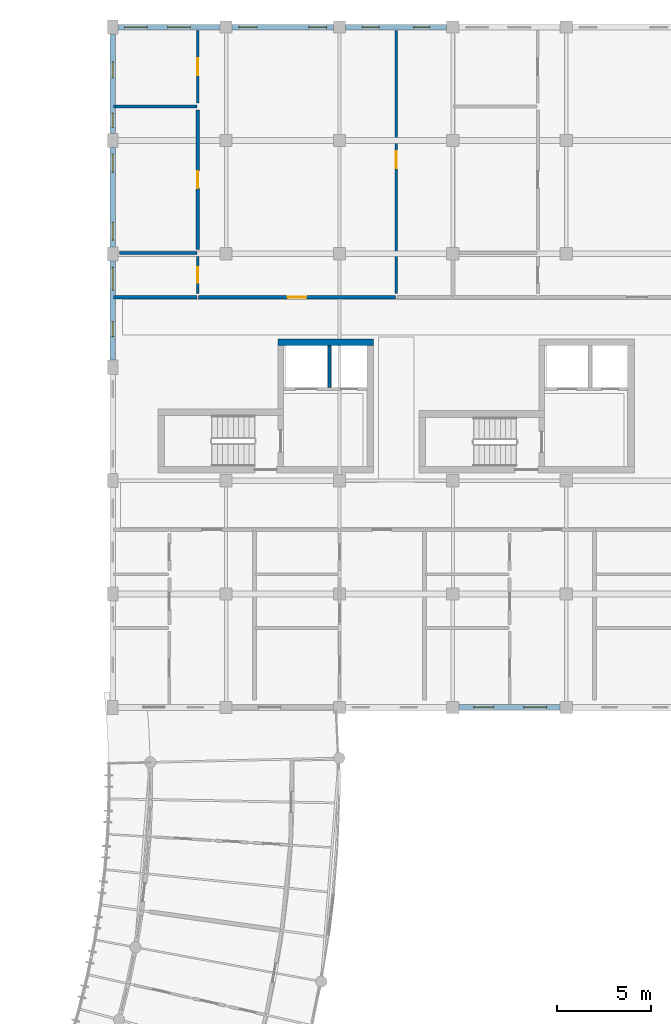
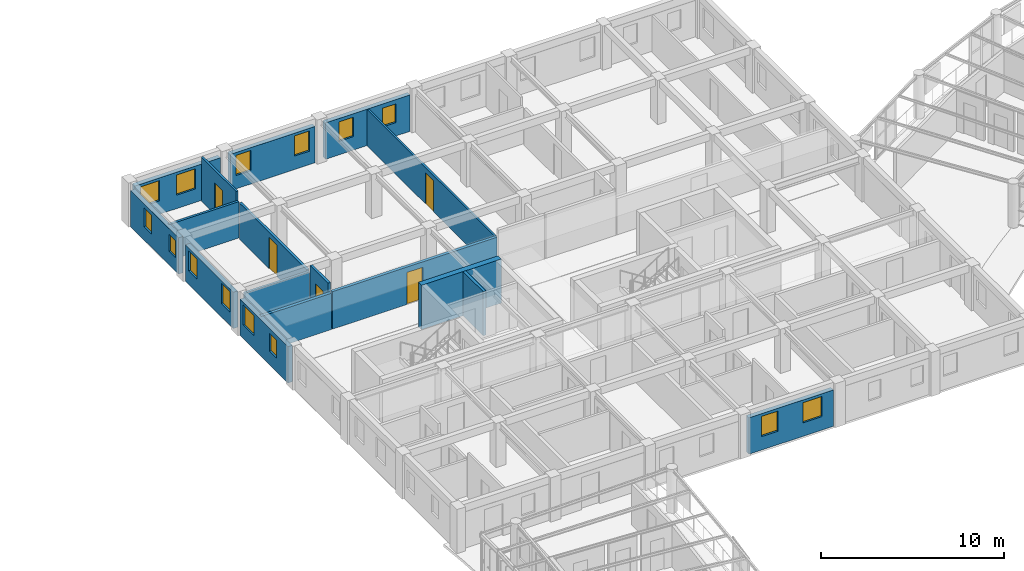
# One storey, part 69 of 100: 17 walls, 14 windows, 5 doors, 19 openings.
"""IFC4 building model written with IfcOpenShell, lengths in metres."""

from ifc_helpers import new_model, si_unit, direction, frame, frame_2d, origin, place, context, subcontext, project, spatial, rectangle, extrude, material, layer, layer_set, type_object, element, fill, save


model = new_model("IFC4")

# Units and contexts
model_context = context("Model", 3, precision=1e-05, world=origin(), true_north=direction((0.0, 1.0)))
body_context = subcontext(model_context, "Body", "Model", "MODEL_VIEW")
ifc_project = project(units=[si_unit("LENGTHUNIT", "METRE"), si_unit("AREAUNIT", "SQUARE_METRE"), si_unit("VOLUMEUNIT", "CUBIC_METRE"), si_unit("PLANEANGLEUNIT", "RADIAN"), si_unit("MASSUNIT", "GRAM", prefix="KILO"), si_unit("POWERUNIT", "WATT"), si_unit("THERMODYNAMICTEMPERATUREUNIT", "KELVIN")], contexts=[model_context])

# Site, building, storey
site_placement = place(None, origin())
site = spatial("IfcSite", under=ifc_project, at=site_placement, CompositionType="ELEMENT")
building_placement = place(site_placement, origin())
building = spatial("IfcBuilding", under=site, at=building_placement, Name="Ruvembo Vaulted Housing Court", CompositionType="ELEMENT")
storey_placement = place(building_placement, frame((0.0, 0.0, 14.10009765625)))
storey = spatial("IfcBuildingStorey", under=building, at=storey_placement, Name="L04", CompositionType="ELEMENT", Elevation=14.10009765625)

# Walls
ifc_material_1 = material(Name="Concrete C35/45", Category="concrete")
ifc_layer_1 = layer(ifc_material_1, 0.35009765625, Name="Concrete C35/45")
ifc_layer_set_1 = layer_set([ifc_layer_1], Name="Concrete C35/45")
wall_type_1 = type_object("IfcWallType", Name="WL-CORE-350", PredefinedType="SHEAR", material=ifc_layer_set_1)
wall_1_placement = place(storey_placement, frame((61.800048828125, 97.324951171875, 0.0), z_axis=(0.0, 0.0, 1.0), x_axis=(-1.0, 0.0, 0.0)))
element("IfcWall", 1, at=wall_1_placement, inside=storey, type_object=wall_type_1, Name="Core B1 L04 North Shear Wall", PredefinedType="SHEAR", context=body_context, shape_type="SweptSolid", body=[
    extrude(rectangle(XDim=5.050048828125, YDim=0.35009765625, at=frame_2d((2.52490234375, 0.0))), origin(), (0.0, 0.0, 1.0), 2.949951171875),
])
ifc_material_2 = material(Name="Concrete Blockwork 190", Category="masonry")
ifc_layer_2 = layer(ifc_material_2, 0.18994140625, Name="Concrete Blockwork 190")
ifc_layer_set_2 = layer_set([ifc_layer_2], Name="Concrete Blockwork 190")
wall_type_2 = type_object("IfcWallType", Name="WL-CORR-190", PredefinedType="SOLIDWALL", material=ifc_layer_set_2)
wall_2_placement = place(storey_placement, frame((48.0400390625, 99.699951171875, 0.0), z_axis=(0.0, 0.0, 1.0), x_axis=(1.0, 0.0, 0.0)))
element("IfcWall", 2, at=wall_2_placement, inside=storey, type_object=wall_type_2, Name="L04 Flat B-L04-N1 Corridor Wall WL-INT-L04-01169", PredefinedType="SOLIDWALL", context=body_context, shape_type="SweptSolid", body=[
    extrude(rectangle(XDim=4.419921875, YDim=0.18994140625, at=frame_2d((2.2099609375, 0.0))), origin(), (0.0, 0.0, 1.0), 2.431884765625),
])

# Wall, opening, door
wall_3_placement = place(storey_placement, frame((52.5400390625, 99.699951171875, 0.0), z_axis=(0.0, 0.0, 1.0), x_axis=(1.0, 0.0, 0.0)))
wall_3 = element("IfcWall", 3, at=wall_3_placement, inside=storey, type_object=wall_type_2, Name="L04 Flat B-L04-N1 Entrance WL-INT-L04-01170", PredefinedType="SOLIDWALL", context=body_context, shape_type="SweptSolid", body=[
    extrude(rectangle(XDim=10.419921875, YDim=0.18994140625, at=frame_2d((5.2099609375, 0.0))), origin(), (0.0, 0.0, 1.0), 2.5078125),
])
opening_1_placement = place(wall_3_placement, frame((4.7099609375, 0.0, 0.0)))
opening_1 = element("IfcOpeningElement", 4, at=opening_1_placement, cuts=wall_3, Name="Opening FD1", PredefinedType="OPENING", context=body_context, shape_type="SweptSolid", body=[
    extrude(rectangle(XDim=1.0, YDim=2.14990234375, at=frame_2d((0.5, 1.074951171875))), frame((0.0, 0.10498046875, 0.0), z_axis=(0.0, -1.0, 0.0), x_axis=(1.0, 0.0, 0.0)), (0.0, 0.0, 1.0), 0.2099609375),
])
ifc_material_3 = material(Name="FSC Hardwood and Engineered Timber", Category="wood")
door_type_1 = type_object("IfcDoorType", Name="DR-FLAT-1000x2150", OperationType="NOTDEFINED", PredefinedType="DOOR", material=ifc_material_3)
door_1_placement = place(opening_1_placement, origin())
door_1 = element("IfcDoor", 5, at=door_1_placement, inside=storey, type_object=door_type_1, Name="L04 Flat B-L04-N1 Entrance Door DR-INT-L04-00654", OperationType="SINGLE_SWING_RIGHT", OverallHeight=2.14990234375, OverallWidth=1.0, PredefinedType="DOOR", context=body_context, shape_type="SweptSolid", body=[
    extrude(rectangle(XDim=1.0, YDim=2.14990234375, at=frame_2d((0.5, 1.074951171875))), frame((0.0, 0.02490234375, 0.0), z_axis=(0.0, -1.0, 0.0), x_axis=(1.0, 0.0, 0.0)), (0.0, 0.0, 1.0), 0.050048828125),
])
fill(opening_1, door_1)

# Wall, openings, windows
ifc_material_4 = material(Name="Rendered Masonry 285", Category="masonry")
ifc_layer_3 = layer(ifc_material_4, 0.284912109375, Name="Rendered Masonry 285")
ifc_layer_set_3 = layer_set([ifc_layer_3], Name="Rendered Masonry 285")
wall_type_3 = type_object("IfcWallType", Name="WL-EXT-285", PredefinedType="STANDARD", material=ifc_layer_set_3)
wall_4_placement = place(storey_placement, frame((66.324951171875, 78.0, 0.0), z_axis=(0.0, 0.0, 1.0), x_axis=(1.0, 0.0, 0.0)))
wall_4 = element("IfcWall", 6, at=wall_4_placement, inside=storey, type_object=wall_type_3, Name="Block B L04 Exterior Wall COURTYARD #4", PredefinedType="STANDARD", context=body_context, shape_type="SweptSolid", body=[
    extrude(rectangle(XDim=5.35009765625, YDim=0.284912109375, at=frame_2d((2.675048828125, 0.0))), origin(), (0.0, 0.0, 1.0), 2.431884765625),
])
opening_2_placement = place(wall_4_placement, frame((0.79248046875, 0.0, 0.89990234375)))
opening_2 = element("IfcOpeningElement", 7, at=opening_2_placement, cuts=wall_4, Name="Opening W09", PredefinedType="OPENING", context=body_context, shape_type="SweptSolid", body=[
    extrude(rectangle(XDim=1.050048828125, YDim=1.35009765625, at=frame_2d((0.52490234375, 0.675048828125))), frame((0.0, 0.15234375, 0.0), z_axis=(0.0, -1.0, 0.0), x_axis=(1.0, 0.0, 0.0)), (0.0, 0.0, 1.0), 0.304931640625),
])
opening_3_placement = place(wall_4_placement, frame((3.4326171875, 0.0, 0.89990234375)))
opening_3 = element("IfcOpeningElement", 8, at=opening_3_placement, cuts=wall_4, Name="Opening W12", PredefinedType="OPENING", context=body_context, shape_type="SweptSolid", body=[
    extrude(rectangle(XDim=1.199951171875, YDim=1.35009765625, at=frame_2d((0.60009765625, 0.675048828125))), frame((0.0, 0.15234375, 0.0), z_axis=(0.0, -1.0, 0.0), x_axis=(1.0, 0.0, 0.0)), (0.0, 0.0, 1.0), 0.304931640625),
])
ifc_material_5 = material(Name="Double Solar-Control Glazing in Aluminium Frame", Category="aluminium")
window_type_1 = type_object("IfcWindowType", Name="WIN-1050x1350", PartitioningType="SINGLE_PANEL", PredefinedType="WINDOW", material=ifc_material_5)
window_1_placement = place(opening_2_placement, origin())
window_1 = element("IfcWindow", 9, at=window_1_placement, inside=storey, type_object=window_type_1, Name="Block B L04 Window #772", OverallHeight=1.35009765625, OverallWidth=1.050048828125, PartitioningType="SINGLE_PANEL", PredefinedType="WINDOW", context=body_context, shape_type="SweptSolid", body=[
    extrude(rectangle(XDim=1.050048828125, YDim=1.35009765625, at=frame_2d((0.52490234375, 0.675048828125))), frame((0.0, 0.030029296875, 0.0), z_axis=(0.0, -1.0, 0.0), x_axis=(1.0, 0.0, 0.0)), (0.0, 0.0, 1.0), 0.06005859375),
])
fill(opening_2, window_1)
window_type_2 = type_object("IfcWindowType", Name="WIN-1200x1350", PartitioningType="SINGLE_PANEL", PredefinedType="WINDOW", material=ifc_material_5)
window_2_placement = place(opening_3_placement, origin())
window_2 = element("IfcWindow", 10, at=window_2_placement, inside=storey, type_object=window_type_2, Name="Block B L04 Window #773", OverallHeight=1.35009765625, OverallWidth=1.199951171875, PartitioningType="SINGLE_PANEL", PredefinedType="WINDOW", context=body_context, shape_type="SweptSolid", body=[
    extrude(rectangle(XDim=1.199951171875, YDim=1.35009765625, at=frame_2d((0.60009765625, 0.675048828125))), frame((0.0, 0.030029296875, 0.0), z_axis=(0.0, -1.0, 0.0), x_axis=(1.0, 0.0, 0.0)), (0.0, 0.0, 1.0), 0.06005859375),
])
fill(opening_3, window_2)

wall_5_placement = place(storey_placement, frame((65.675048828125, 114.0, 0.0), z_axis=(0.0, 0.0, 1.0), x_axis=(-1.0, 0.0, 0.0)))
wall_5 = element("IfcWall", 11, at=wall_5_placement, inside=storey, type_object=wall_type_3, Name="Block B L04 Exterior Wall STREET #4", PredefinedType="STANDARD", context=body_context, shape_type="SweptSolid", body=[
    extrude(rectangle(XDim=5.35009765625, YDim=0.284912109375, at=frame_2d((2.675048828125, 0.0))), origin(), (0.0, 0.0, 1.0), 2.431884765625),
])
opening_4_placement = place(wall_5_placement, frame((0.892578125, 0.0, 0.89990234375)))
opening_4 = element("IfcOpeningElement", 12, at=opening_4_placement, cuts=wall_5, Name="Opening W03", PredefinedType="OPENING", context=body_context, shape_type="SweptSolid", body=[
    extrude(rectangle(XDim=0.85009765625, YDim=1.25, at=frame_2d((0.425048828125, 0.625))), frame((0.0, 0.15234375, 0.0), z_axis=(0.0, -1.0, 0.0), x_axis=(1.0, 0.0, 0.0)), (0.0, 0.0, 1.0), 0.304931640625),
])
opening_5_placement = place(wall_5_placement, frame((3.58251953125, 0.0, 0.89990234375)))
opening_5 = element("IfcOpeningElement", 13, at=opening_5_placement, cuts=wall_5, Name="Opening W04", PredefinedType="OPENING", context=body_context, shape_type="SweptSolid", body=[
    extrude(rectangle(XDim=0.89990234375, YDim=1.300048828125, at=frame_2d((0.449951171875, 0.64990234375))), frame((0.0, 0.15234375, 0.0), z_axis=(0.0, -1.0, 0.0), x_axis=(1.0, 0.0, 0.0)), (0.0, 0.0, 1.0), 0.304931640625),
])
window_type_3 = type_object("IfcWindowType", Name="WIN-0850x1250", PartitioningType="SINGLE_PANEL", PredefinedType="WINDOW", material=ifc_material_5)
window_3_placement = place(opening_4_placement, origin())
window_3 = element("IfcWindow", 14, at=window_3_placement, inside=storey, type_object=window_type_3, Name="Block B L04 Window #793", OverallHeight=1.25, OverallWidth=0.85009765625, PartitioningType="SINGLE_PANEL", PredefinedType="WINDOW", context=body_context, shape_type="SweptSolid", body=[
    extrude(rectangle(XDim=0.85009765625, YDim=1.25, at=frame_2d((0.425048828125, 0.625))), frame((0.0, 0.030029296875, 0.0), z_axis=(0.0, -1.0, 0.0), x_axis=(1.0, 0.0, 0.0)), (0.0, 0.0, 1.0), 0.06005859375),
])
fill(opening_4, window_3)
window_type_4 = type_object("IfcWindowType", Name="WIN-0900x1300", PartitioningType="SINGLE_PANEL", PredefinedType="WINDOW", material=ifc_material_5)
window_4_placement = place(opening_5_placement, origin())
window_4 = element("IfcWindow", 15, at=window_4_placement, inside=storey, type_object=window_type_4, Name="Block B L04 Window #794", OverallHeight=1.300048828125, OverallWidth=0.89990234375, PartitioningType="SINGLE_PANEL", PredefinedType="WINDOW", context=body_context, shape_type="SweptSolid", body=[
    extrude(rectangle(XDim=0.89990234375, YDim=1.300048828125, at=frame_2d((0.449951171875, 0.64990234375))), frame((0.0, 0.030029296875, 0.0), z_axis=(0.0, -1.0, 0.0), x_axis=(1.0, 0.0, 0.0)), (0.0, 0.0, 1.0), 0.06005859375),
])
fill(opening_5, window_4)

wall_6_placement = place(storey_placement, frame((59.675048828125, 114.0, 0.0), z_axis=(0.0, 0.0, 1.0), x_axis=(-1.0, 0.0, 0.0)))
wall_6 = element("IfcWall", 16, at=wall_6_placement, inside=storey, type_object=wall_type_3, Name="Block B L04 Exterior Wall STREET #5", PredefinedType="STANDARD", context=body_context, shape_type="SweptSolid", body=[
    extrude(rectangle(XDim=5.35009765625, YDim=0.284912109375, at=frame_2d((2.675048828125, 0.0))), origin(), (0.0, 0.0, 1.0), 2.431884765625),
])
opening_6_placement = place(wall_6_placement, frame((0.35009765625, 0.0, 0.89990234375)))
opening_6 = element("IfcOpeningElement", 17, at=opening_6_placement, cuts=wall_6, Name="Opening W07", PredefinedType="OPENING", context=body_context, shape_type="SweptSolid", body=[
    extrude(rectangle(XDim=0.949951171875, YDim=1.35009765625, at=frame_2d((0.47509765625, 0.675048828125))), frame((0.0, 0.15234375, 0.0), z_axis=(0.0, -1.0, 0.0), x_axis=(1.0, 0.0, 0.0)), (0.0, 0.0, 1.0), 0.304931640625),
])
opening_7_placement = place(wall_6_placement, frame((4.050048828125, 0.0, 0.89990234375)))
opening_7 = element("IfcOpeningElement", 18, at=opening_7_placement, cuts=wall_6, Name="Opening W07", PredefinedType="OPENING", context=body_context, shape_type="SweptSolid", body=[
    extrude(rectangle(XDim=0.949951171875, YDim=1.35009765625, at=frame_2d((0.47509765625, 0.675048828125))), frame((0.0, 0.15234375, 0.0), z_axis=(0.0, -1.0, 0.0), x_axis=(1.0, 0.0, 0.0)), (0.0, 0.0, 1.0), 0.304931640625),
])
window_type_5 = type_object("IfcWindowType", Name="WIN-0950x1350", PartitioningType="SINGLE_PANEL", PredefinedType="WINDOW", material=ifc_material_5)
window_5_placement = place(opening_6_placement, origin())
window_5 = element("IfcWindow", 19, at=window_5_placement, inside=storey, type_object=window_type_5, Name="Block B L04 Window #795", OverallHeight=1.35009765625, OverallWidth=0.949951171875, PartitioningType="SINGLE_PANEL", PredefinedType="WINDOW", context=body_context, shape_type="SweptSolid", body=[
    extrude(rectangle(XDim=0.949951171875, YDim=1.35009765625, at=frame_2d((0.47509765625, 0.675048828125))), frame((0.0, 0.030029296875, 0.0), z_axis=(0.0, -1.0, 0.0), x_axis=(1.0, 0.0, 0.0)), (0.0, 0.0, 1.0), 0.06005859375),
])
fill(opening_6, window_5)
window_6_placement = place(opening_7_placement, origin())
window_6 = element("IfcWindow", 20, at=window_6_placement, inside=storey, type_object=window_type_5, Name="Block B L04 Window #796", OverallHeight=1.35009765625, OverallWidth=0.949951171875, PartitioningType="SINGLE_PANEL", PredefinedType="WINDOW", context=body_context, shape_type="SweptSolid", body=[
    extrude(rectangle(XDim=0.949951171875, YDim=1.35009765625, at=frame_2d((0.47509765625, 0.675048828125))), frame((0.0, 0.030029296875, 0.0), z_axis=(0.0, -1.0, 0.0), x_axis=(1.0, 0.0, 0.0)), (0.0, 0.0, 1.0), 0.06005859375),
])
fill(opening_7, window_6)

wall_7_placement = place(storey_placement, frame((53.675048828125, 114.0, 0.0), z_axis=(0.0, 0.0, 1.0), x_axis=(-1.0, 0.0, 0.0)))
wall_7 = element("IfcWall", 21, at=wall_7_placement, inside=storey, type_object=wall_type_3, Name="Block B L04 Exterior Wall STREET #6", PredefinedType="STANDARD", context=body_context, shape_type="SweptSolid", body=[
    extrude(rectangle(XDim=5.400146484375, YDim=0.284912109375, at=frame_2d((2.7001953125, 0.0))), origin(), (0.0, 0.0, 1.0), 2.431884765625),
])
opening_8_placement = place(wall_7_placement, frame((1.56494140625, 0.0, 0.89990234375)))
opening_8 = element("IfcOpeningElement", 22, at=opening_8_placement, cuts=wall_7, Name="Opening W12", PredefinedType="OPENING", context=body_context, shape_type="SweptSolid", body=[
    extrude(rectangle(XDim=1.199951171875, YDim=1.35009765625, at=frame_2d((0.60009765625, 0.675048828125))), frame((0.0, 0.15234375, 0.0), z_axis=(0.0, -1.0, 0.0), x_axis=(1.0, 0.0, 0.0)), (0.0, 0.0, 1.0), 0.304931640625),
])
opening_9_placement = place(wall_7_placement, frame((3.85009765625, 0.0, 0.89990234375)))
opening_9 = element("IfcOpeningElement", 23, at=opening_9_placement, cuts=wall_7, Name="Opening W12", PredefinedType="OPENING", context=body_context, shape_type="SweptSolid", body=[
    extrude(rectangle(XDim=1.199951171875, YDim=1.35009765625, at=frame_2d((0.60009765625, 0.675048828125))), frame((0.0, 0.15234375, 0.0), z_axis=(0.0, -1.0, 0.0), x_axis=(1.0, 0.0, 0.0)), (0.0, 0.0, 1.0), 0.304931640625),
])
window_7_placement = place(opening_8_placement, origin())
window_7 = element("IfcWindow", 24, at=window_7_placement, inside=storey, type_object=window_type_2, Name="Block B L04 Window #797", OverallHeight=1.35009765625, OverallWidth=1.199951171875, PartitioningType="SINGLE_PANEL", PredefinedType="WINDOW", context=body_context, shape_type="SweptSolid", body=[
    extrude(rectangle(XDim=1.199951171875, YDim=1.35009765625, at=frame_2d((0.60009765625, 0.675048828125))), frame((0.0, 0.030029296875, 0.0), z_axis=(0.0, -1.0, 0.0), x_axis=(1.0, 0.0, 0.0)), (0.0, 0.0, 1.0), 0.06005859375),
])
fill(opening_8, window_7)
window_8_placement = place(opening_9_placement, origin())
window_8 = element("IfcWindow", 25, at=window_8_placement, inside=storey, type_object=window_type_2, Name="Block B L04 Window #798", OverallHeight=1.35009765625, OverallWidth=1.199951171875, PartitioningType="SINGLE_PANEL", PredefinedType="WINDOW", context=body_context, shape_type="SweptSolid", body=[
    extrude(rectangle(XDim=1.199951171875, YDim=1.35009765625, at=frame_2d((0.60009765625, 0.675048828125))), frame((0.0, 0.030029296875, 0.0), z_axis=(0.0, -1.0, 0.0), x_axis=(1.0, 0.0, 0.0)), (0.0, 0.0, 1.0), 0.06005859375),
])
fill(opening_9, window_8)

wall_8_placement = place(storey_placement, frame((48.0, 113.625, 0.0), z_axis=(0.0, 0.0, 1.0), x_axis=(0.0, -1.0, 0.0)))
wall_8 = element("IfcWall", 26, at=wall_8_placement, inside=storey, type_object=wall_type_3, Name="Block B L04 Exterior Wall WEST #1", PredefinedType="STANDARD", context=body_context, shape_type="SweptSolid", body=[
    extrude(rectangle(XDim=5.25, YDim=0.284912109375, at=frame_2d((2.625, 0.0))), origin(), (0.0, 0.0, 1.0), 2.431884765625),
])
opening_10_placement = place(wall_8_placement, frame((1.467529296875, 0.0, 0.89990234375)))
opening_10 = element("IfcOpeningElement", 27, at=opening_10_placement, cuts=wall_8, Name="Opening W03", PredefinedType="OPENING", context=body_context, shape_type="SweptSolid", body=[
    extrude(rectangle(XDim=0.85009765625, YDim=1.25, at=frame_2d((0.425048828125, 0.625))), frame((0.0, 0.15234375, 0.0), z_axis=(0.0, -1.0, 0.0), x_axis=(1.0, 0.0, 0.0)), (0.0, 0.0, 1.0), 0.304931640625),
])
opening_11_placement = place(wall_8_placement, frame((4.1826171875, 0.0, 0.89990234375)))
opening_11 = element("IfcOpeningElement", 28, at=opening_11_placement, cuts=wall_8, Name="Opening W01", PredefinedType="OPENING", context=body_context, shape_type="SweptSolid", body=[
    extrude(rectangle(XDim=0.75, YDim=1.14990234375, at=frame_2d((0.375, 0.574951171875))), frame((0.0, 0.15234375, 0.0), z_axis=(0.0, -1.0, 0.0), x_axis=(1.0, 0.0, 0.0)), (0.0, 0.0, 1.0), 0.304931640625),
])
window_type_6 = type_object("IfcWindowType", Name="WIN-0750x1150", PartitioningType="SINGLE_PANEL", PredefinedType="WINDOW", material=ifc_material_5)
window_9_placement = place(opening_11_placement, origin())
window_9 = element("IfcWindow", 29, at=window_9_placement, inside=storey, type_object=window_type_6, Name="Block B L04 Window #800", OverallHeight=1.14990234375, OverallWidth=0.75, PartitioningType="SINGLE_PANEL", PredefinedType="WINDOW", context=body_context, shape_type="SweptSolid", body=[
    extrude(rectangle(XDim=0.75, YDim=1.14990234375, at=frame_2d((0.375, 0.574951171875))), frame((0.0, 0.030029296875, 0.0), z_axis=(0.0, -1.0, 0.0), x_axis=(1.0, 0.0, 0.0)), (0.0, 0.0, 1.0), 0.06005859375),
])
fill(opening_11, window_9)
window_10_placement = place(opening_10_placement, origin())
window_10 = element("IfcWindow", 30, at=window_10_placement, inside=storey, type_object=window_type_3, Name="Block B L04 Window #799", OverallHeight=1.25, OverallWidth=0.85009765625, PartitioningType="SINGLE_PANEL", PredefinedType="WINDOW", context=body_context, shape_type="SweptSolid", body=[
    extrude(rectangle(XDim=0.85009765625, YDim=1.25, at=frame_2d((0.425048828125, 0.625))), frame((0.0, 0.030029296875, 0.0), z_axis=(0.0, -1.0, 0.0), x_axis=(1.0, 0.0, 0.0)), (0.0, 0.0, 1.0), 0.06005859375),
])
fill(opening_10, window_10)

wall_9_placement = place(storey_placement, frame((48.0, 107.625, 0.0), z_axis=(0.0, 0.0, 1.0), x_axis=(0.0, -1.0, 0.0)))
wall_9 = element("IfcWall", 31, at=wall_9_placement, inside=storey, type_object=wall_type_3, Name="Block B L04 Exterior Wall WEST #2", PredefinedType="STANDARD", context=body_context, shape_type="SweptSolid", body=[
    extrude(rectangle(XDim=5.25, YDim=0.284912109375, at=frame_2d((2.625, 0.0))), origin(), (0.0, 0.0, 1.0), 2.431884765625),
])
opening_12_placement = place(wall_9_placement, frame((0.35009765625, 0.0, 0.89990234375)))
opening_12 = element("IfcOpeningElement", 32, at=opening_12_placement, cuts=wall_9, Name="Opening W07", PredefinedType="OPENING", context=body_context, shape_type="SweptSolid", body=[
    extrude(rectangle(XDim=0.949951171875, YDim=1.35009765625, at=frame_2d((0.47509765625, 0.675048828125))), frame((0.0, 0.15234375, 0.0), z_axis=(0.0, -1.0, 0.0), x_axis=(1.0, 0.0, 0.0)), (0.0, 0.0, 1.0), 0.304931640625),
])
opening_13_placement = place(wall_9_placement, frame((3.949951171875, 0.0, 0.89990234375)))
opening_13 = element("IfcOpeningElement", 33, at=opening_13_placement, cuts=wall_9, Name="Opening W07", PredefinedType="OPENING", context=body_context, shape_type="SweptSolid", body=[
    extrude(rectangle(XDim=0.949951171875, YDim=1.35009765625, at=frame_2d((0.47509765625, 0.675048828125))), frame((0.0, 0.15234375, 0.0), z_axis=(0.0, -1.0, 0.0), x_axis=(1.0, 0.0, 0.0)), (0.0, 0.0, 1.0), 0.304931640625),
])
window_11_placement = place(opening_12_placement, origin())
window_11 = element("IfcWindow", 34, at=window_11_placement, inside=storey, type_object=window_type_5, Name="Block B L04 Window #801", OverallHeight=1.35009765625, OverallWidth=0.949951171875, PartitioningType="SINGLE_PANEL", PredefinedType="WINDOW", context=body_context, shape_type="SweptSolid", body=[
    extrude(rectangle(XDim=0.949951171875, YDim=1.35009765625, at=frame_2d((0.47509765625, 0.675048828125))), frame((0.0, 0.030029296875, 0.0), z_axis=(0.0, -1.0, 0.0), x_axis=(1.0, 0.0, 0.0)), (0.0, 0.0, 1.0), 0.06005859375),
])
fill(opening_12, window_11)
window_12_placement = place(opening_13_placement, origin())
window_12 = element("IfcWindow", 35, at=window_12_placement, inside=storey, type_object=window_type_5, Name="Block B L04 Window #802", OverallHeight=1.35009765625, OverallWidth=0.949951171875, PartitioningType="SINGLE_PANEL", PredefinedType="WINDOW", context=body_context, shape_type="SweptSolid", body=[
    extrude(rectangle(XDim=0.949951171875, YDim=1.35009765625, at=frame_2d((0.47509765625, 0.675048828125))), frame((0.0, 0.030029296875, 0.0), z_axis=(0.0, -1.0, 0.0), x_axis=(1.0, 0.0, 0.0)), (0.0, 0.0, 1.0), 0.06005859375),
])
fill(opening_13, window_12)

wall_10_placement = place(storey_placement, frame((48.0, 101.625, 0.0), z_axis=(0.0, 0.0, 1.0), x_axis=(0.0, -1.0, 0.0)))
wall_10 = element("IfcWall", 36, at=wall_10_placement, inside=storey, type_object=wall_type_3, Name="Block B L04 Exterior Wall WEST #3", PredefinedType="STANDARD", context=body_context, shape_type="SweptSolid", body=[
    extrude(rectangle(XDim=5.25, YDim=0.284912109375, at=frame_2d((2.625, 0.0))), origin(), (0.0, 0.0, 1.0), 2.431884765625),
])
opening_14_placement = place(wall_10_placement, frame((0.342529296875, 0.0, 0.89990234375)))
opening_14 = element("IfcOpeningElement", 37, at=opening_14_placement, cuts=wall_10, Name="Opening W12", PredefinedType="OPENING", context=body_context, shape_type="SweptSolid", body=[
    extrude(rectangle(XDim=1.199951171875, YDim=1.35009765625, at=frame_2d((0.60009765625, 0.675048828125))), frame((0.0, 0.15234375, 0.0), z_axis=(0.0, -1.0, 0.0), x_axis=(1.0, 0.0, 0.0)), (0.0, 0.0, 1.0), 0.304931640625),
])
opening_15_placement = place(wall_10_placement, frame((3.20751953125, 0.0, 0.89990234375)))
opening_15 = element("IfcOpeningElement", 38, at=opening_15_placement, cuts=wall_10, Name="Opening W02", PredefinedType="OPENING", context=body_context, shape_type="SweptSolid", body=[
    extrude(rectangle(XDim=0.800048828125, YDim=1.199951171875, at=frame_2d((0.39990234375, 0.60009765625))), frame((0.0, 0.15234375, 0.0), z_axis=(0.0, -1.0, 0.0), x_axis=(1.0, 0.0, 0.0)), (0.0, 0.0, 1.0), 0.304931640625),
])
window_type_7 = type_object("IfcWindowType", Name="WIN-0800x1200", PartitioningType="SINGLE_PANEL", PredefinedType="WINDOW", material=ifc_material_5)
window_13_placement = place(opening_15_placement, origin())
window_13 = element("IfcWindow", 39, at=window_13_placement, inside=storey, type_object=window_type_7, Name="Block B L04 Window #804", OverallHeight=1.199951171875, OverallWidth=0.800048828125, PartitioningType="SINGLE_PANEL", PredefinedType="WINDOW", context=body_context, shape_type="SweptSolid", body=[
    extrude(rectangle(XDim=0.800048828125, YDim=1.199951171875, at=frame_2d((0.39990234375, 0.60009765625))), frame((0.0, 0.030029296875, 0.0), z_axis=(0.0, -1.0, 0.0), x_axis=(1.0, 0.0, 0.0)), (0.0, 0.0, 1.0), 0.06005859375),
])
fill(opening_15, window_13)
window_14_placement = place(opening_14_placement, origin())
window_14 = element("IfcWindow", 40, at=window_14_placement, inside=storey, type_object=window_type_2, Name="Block B L04 Window #803", OverallHeight=1.35009765625, OverallWidth=1.199951171875, PartitioningType="SINGLE_PANEL", PredefinedType="WINDOW", context=body_context, shape_type="SweptSolid", body=[
    extrude(rectangle(XDim=1.199951171875, YDim=1.35009765625, at=frame_2d((0.60009765625, 0.675048828125))), frame((0.0, 0.030029296875, 0.0), z_axis=(0.0, -1.0, 0.0), x_axis=(1.0, 0.0, 0.0)), (0.0, 0.0, 1.0), 0.06005859375),
])
fill(opening_14, window_14)

# Wall, opening, door
ifc_material_6 = material(Name="Plasterboard Stud Partition 125", Category="gypsum")
ifc_layer_4 = layer(ifc_material_6, 0.125, Name="Plasterboard Stud Partition 125")
ifc_layer_set_4 = layer_set([ifc_layer_4], Name="Plasterboard Stud Partition 125")
wall_type_4 = type_object("IfcWallType", Name="WL-PART-125", PredefinedType="PARTITIONING", material=ifc_layer_set_4)
wall_11_placement = place(storey_placement, frame((52.5, 109.989990234375, 0.0), z_axis=(0.0, 0.0, 1.0), x_axis=(0.0, 1.0, 0.0)))
wall_11 = element("IfcWall", 41, at=wall_11_placement, inside=storey, type_object=wall_type_4, Name="L04 Flat B-L04-N1 Bedroom 1 WL-INT-L04-01171", PredefinedType="PARTITIONING", context=body_context, shape_type="SweptSolid", body=[
    extrude(rectangle(XDim=3.820068359375, YDim=0.125, at=frame_2d((1.91015625, 0.0))), origin(), (0.0, 0.0, 1.0), 2.949951171875),
])
opening_16_placement = place(wall_11_placement, frame((1.469970703125, 0.0, 0.0)))
opening_16 = element("IfcOpeningElement", 42, at=opening_16_placement, cuts=wall_11, Name="Opening ID3", PredefinedType="OPENING", context=body_context, shape_type="SweptSolid", body=[
    extrude(rectangle(XDim=0.8798828125, YDim=2.10009765625, at=frame_2d((0.43994140625, 1.050048828125))), frame((0.0, 0.072509765625, 0.0), z_axis=(0.0, -1.0, 0.0), x_axis=(1.0, 0.0, 0.0)), (0.0, 0.0, 1.0), 0.14501953125),
])
door_type_2 = type_object("IfcDoorType", Name="DR-ROOM-0880x2100", OperationType="NOTDEFINED", PredefinedType="DOOR", material=ifc_material_3)
door_2_placement = place(opening_16_placement, origin())
door_2 = element("IfcDoor", 43, at=door_2_placement, inside=storey, type_object=door_type_2, Name="L04 Flat B-L04-N1 Bedroom 1 Door DR-INT-L04-00655", OperationType="SINGLE_SWING_LEFT", OverallHeight=2.10009765625, OverallWidth=0.8798828125, PredefinedType="DOOR", context=body_context, shape_type="SweptSolid", body=[
    extrude(rectangle(XDim=0.8798828125, YDim=2.10009765625, at=frame_2d((0.43994140625, 1.050048828125))), frame((0.0, 0.02490234375, 0.0), z_axis=(0.0, -1.0, 0.0), x_axis=(1.0, 0.0, 0.0)), (0.0, 0.0, 1.0), 0.050048828125),
])
fill(opening_16, door_2)

wall_12_placement = place(storey_placement, frame((63.0, 99.889892578125, 0.0), z_axis=(0.0, 0.0, 1.0), x_axis=(0.0, 1.0, 0.0)))
wall_12 = element("IfcWall", 44, at=wall_12_placement, inside=storey, type_object=wall_type_4, Name="L04 Flat B-L04-N1 Bedroom 2 WL-INT-L04-01177", PredefinedType="PARTITIONING", context=body_context, shape_type="SweptSolid", body=[
    extrude(rectangle(XDim=13.920166015625, YDim=0.125, at=frame_2d((6.9599609375, 0.0))), origin(), (0.0, 0.0, 1.0), 2.431884765625),
])
opening_17_placement = place(wall_12_placement, frame((6.64990234375, 0.0, 0.0)))
opening_17 = element("IfcOpeningElement", 45, at=opening_17_placement, cuts=wall_12, Name="Opening ID1", PredefinedType="OPENING", context=body_context, shape_type="SweptSolid", body=[
    extrude(rectangle(XDim=0.89990234375, YDim=2.10009765625, at=frame_2d((0.449951171875, 1.050048828125))), frame((0.0, 0.072509765625, 0.0), z_axis=(0.0, -1.0, 0.0), x_axis=(1.0, 0.0, 0.0)), (0.0, 0.0, 1.0), 0.14501953125),
])
door_type_3 = type_object("IfcDoorType", Name="DR-ROOM-0900x2100", OperationType="NOTDEFINED", PredefinedType="DOOR", material=ifc_material_3)
door_3_placement = place(opening_17_placement, origin())
door_3 = element("IfcDoor", 46, at=door_3_placement, inside=storey, type_object=door_type_3, Name="L04 Flat B-L04-N1 Bedroom 2 Door DR-INT-L04-00658", OperationType="SINGLE_SWING_RIGHT", OverallHeight=2.10009765625, OverallWidth=0.89990234375, PredefinedType="DOOR", context=body_context, shape_type="SweptSolid", body=[
    extrude(rectangle(XDim=0.89990234375, YDim=2.10009765625, at=frame_2d((0.449951171875, 1.050048828125))), frame((0.0, 0.02490234375, 0.0), z_axis=(0.0, -1.0, 0.0), x_axis=(1.0, 0.0, 0.0)), (0.0, 0.0, 1.0), 0.050048828125),
])
fill(opening_17, door_3)

ifc_material_7 = material(Name="Moisture-Resistant Wet Partition 150", Category="gypsum")
ifc_layer_5 = layer(ifc_material_7, 0.14990234375, Name="Moisture-Resistant Wet Partition 150")
ifc_layer_set_5 = layer_set([ifc_layer_5], Name="Moisture-Resistant Wet Partition 150")
wall_type_5 = type_object("IfcWallType", Name="WL-PART-150", PredefinedType="PARTITIONING", material=ifc_layer_set_5)
wall_13_placement = place(storey_placement, frame((52.5, 99.889892578125, 0.0), z_axis=(0.0, 0.0, 1.0), x_axis=(0.0, 1.0, 0.0)))
wall_13 = element("IfcWall", 47, at=wall_13_placement, inside=storey, type_object=wall_type_5, Name="L04 Flat B-L04-N1 Bathroom WL-INT-L04-01173", PredefinedType="PARTITIONING", context=body_context, shape_type="SweptSolid", body=[
    extrude(rectangle(XDim=1.97021484375, YDim=0.14990234375, at=frame_2d((0.985107421875, 0.0))), origin(), (0.0, 0.0, 1.0), 2.949951171875),
])
opening_18_placement = place(wall_13_placement, frame((0.574951171875, 0.0, 0.0)))
opening_18 = element("IfcOpeningElement", 48, at=opening_18_placement, cuts=wall_13, Name="Opening ID4", PredefinedType="OPENING", context=body_context, shape_type="SweptSolid", body=[
    extrude(rectangle(XDim=0.820068359375, YDim=2.080078125, at=frame_2d((0.41015625, 1.0400390625))), frame((0.0, 0.0849609375, 0.0), z_axis=(0.0, -1.0, 0.0), x_axis=(1.0, 0.0, 0.0)), (0.0, 0.0, 1.0), 0.169921875),
])
door_type_4 = type_object("IfcDoorType", Name="DR-WET-0820x2080", OperationType="NOTDEFINED", PredefinedType="DOOR", material=ifc_material_3)
door_4_placement = place(opening_18_placement, origin())
door_4 = element("IfcDoor", 49, at=door_4_placement, inside=storey, type_object=door_type_4, Name="L04 Flat B-L04-N1 Bathroom Door DR-INT-L04-00657", OperationType="SINGLE_SWING_LEFT", OverallHeight=2.080078125, OverallWidth=0.820068359375, PredefinedType="DOOR", context=body_context, shape_type="SweptSolid", body=[
    extrude(rectangle(XDim=0.820068359375, YDim=2.080078125, at=frame_2d((0.41015625, 1.0400390625))), frame((0.0, 0.02490234375, 0.0), z_axis=(0.0, -1.0, 0.0), x_axis=(1.0, 0.0, 0.0)), (0.0, 0.0, 1.0), 0.050048828125),
])
fill(opening_18, door_4)

# Walls
wall_14_placement = place(storey_placement, frame((48.0400390625, 109.800048828125, 0.0), z_axis=(0.0, 0.0, 1.0), x_axis=(1.0, 0.0, 0.0)))
element("IfcWall", 50, at=wall_14_placement, inside=storey, type_object=wall_type_5, Name="L04 Flat B-L04-N1 Wet Wall 1 WL-INT-L04-01174", PredefinedType="PARTITIONING", context=body_context, shape_type="SweptSolid", body=[
    extrude(rectangle(XDim=4.419921875, YDim=0.14990234375, at=frame_2d((2.2099609375, 0.0))), origin(), (0.0, 0.0, 1.0), 2.431884765625),
])
wall_15_placement = place(storey_placement, frame((48.360107421875, 102.050048828125, 0.0), z_axis=(0.0, 0.0, 1.0), x_axis=(1.0, 0.0, 0.0)))
element("IfcWall", 51, at=wall_15_placement, inside=storey, type_object=wall_type_5, Name="L04 Flat B-L04-N1 Wet Wall 2 WL-INT-L04-01175", PredefinedType="PARTITIONING", context=body_context, shape_type="SweptSolid", body=[
    extrude(rectangle(XDim=4.099853515625, YDim=0.14990234375, at=frame_2d((2.0498046875, 0.0))), origin(), (0.0, 0.0, 1.0), 2.431884765625),
])

# Wall, opening, door
ifc_material_8 = material(Name="Acoustic Service Chase Wall 160", Category="gypsum")
ifc_layer_6 = layer(ifc_material_8, 0.159912109375, Name="Acoustic Service Chase Wall 160")
ifc_layer_set_6 = layer_set([ifc_layer_6], Name="Acoustic Service Chase Wall 160")
wall_type_6 = type_object("IfcWallType", Name="WL-PLUMB-160", PredefinedType="PLUMBINGWALL", material=ifc_layer_set_6)
wall_16_placement = place(storey_placement, frame((52.5, 102.239990234375, 0.0), z_axis=(0.0, 0.0, 1.0), x_axis=(0.0, 1.0, 0.0)))
wall_16 = element("IfcWall", 52, at=wall_16_placement, inside=storey, type_object=wall_type_6, Name="L04 Flat B-L04-N1 Kitchen WL-INT-L04-01172", PredefinedType="PLUMBINGWALL", context=body_context, shape_type="SweptSolid", body=[
    extrude(rectangle(XDim=7.3701171875, YDim=0.159912109375, at=frame_2d((3.68505859375, 0.0))), origin(), (0.0, 0.0, 1.0), 2.431884765625),
])
opening_19_placement = place(wall_16_placement, frame((3.235107421875, 0.0, 0.0)))
opening_19 = element("IfcOpeningElement", 53, at=opening_19_placement, cuts=wall_16, Name="Opening ID1", PredefinedType="OPENING", context=body_context, shape_type="SweptSolid", body=[
    extrude(rectangle(XDim=0.89990234375, YDim=2.10009765625, at=frame_2d((0.449951171875, 1.050048828125))), frame((0.0, 0.08984375, 0.0), z_axis=(0.0, -1.0, 0.0), x_axis=(1.0, 0.0, 0.0)), (0.0, 0.0, 1.0), 0.179931640625),
])
door_5_placement = place(opening_19_placement, origin())
door_5 = element("IfcDoor", 54, at=door_5_placement, inside=storey, type_object=door_type_3, Name="L04 Flat B-L04-N1 Kitchen Door DR-INT-L04-00656", OperationType="SINGLE_SWING_RIGHT", OverallHeight=2.10009765625, OverallWidth=0.89990234375, PredefinedType="DOOR", context=body_context, shape_type="SweptSolid", body=[
    extrude(rectangle(XDim=0.89990234375, YDim=2.10009765625, at=frame_2d((0.449951171875, 1.050048828125))), frame((0.0, 0.02490234375, 0.0), z_axis=(0.0, -1.0, 0.0), x_axis=(1.0, 0.0, 0.0)), (0.0, 0.0, 1.0), 0.050048828125),
])
fill(opening_19, door_5)

# Wall
ifc_material_9 = material(Name="Fire-Rated Masonry Shaft 180", Category="masonry")
ifc_layer_7 = layer(ifc_material_9, 0.179931640625, Name="Fire-Rated Masonry Shaft 180")
ifc_layer_set_7 = layer_set([ifc_layer_7], Name="Fire-Rated Masonry Shaft 180")
wall_type_7 = type_object("IfcWallType", Name="WL-SHAFT-180", PredefinedType="SOLIDWALL", material=ifc_layer_set_7)
wall_17_placement = place(storey_placement, frame((59.469970703125, 94.93994140625, 0.0), z_axis=(0.0, 0.0, 1.0), x_axis=(0.0, 1.0, 0.0)))
element("IfcWall", 55, at=wall_17_placement, inside=storey, type_object=wall_type_7, Name="Core B1 L04 Shaft-Riser Divider Wall", PredefinedType="SOLIDWALL", context=body_context, shape_type="SweptSolid", body=[
    extrude(rectangle(XDim=2.2099609375, YDim=0.179931640625, at=frame_2d((1.10498046875, 0.0))), origin(), (0.0, 0.0, 1.0), 2.949951171875),
])

save(model, "model.ifc")
